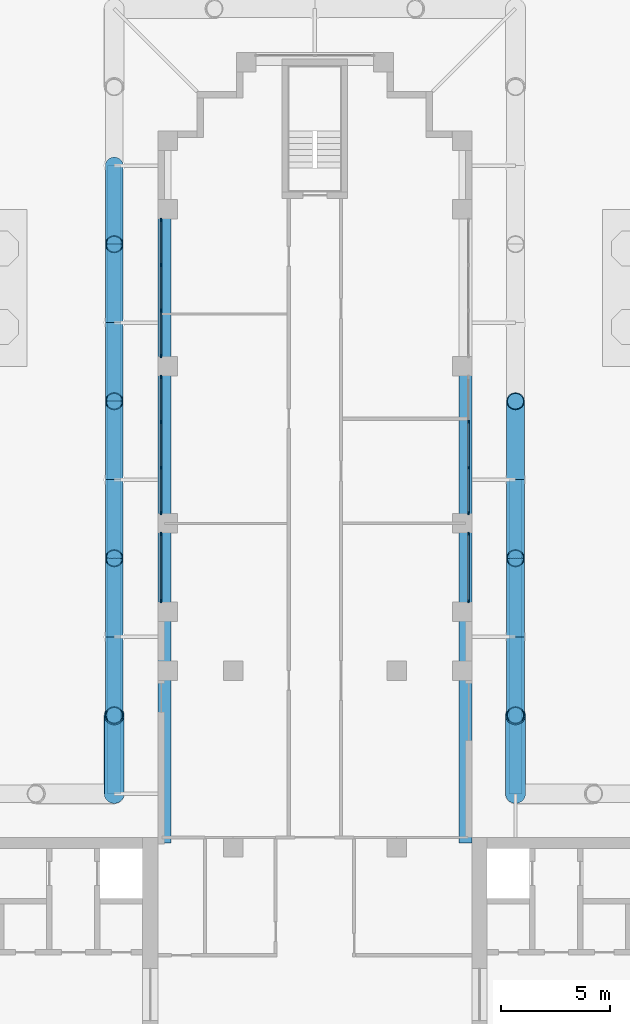
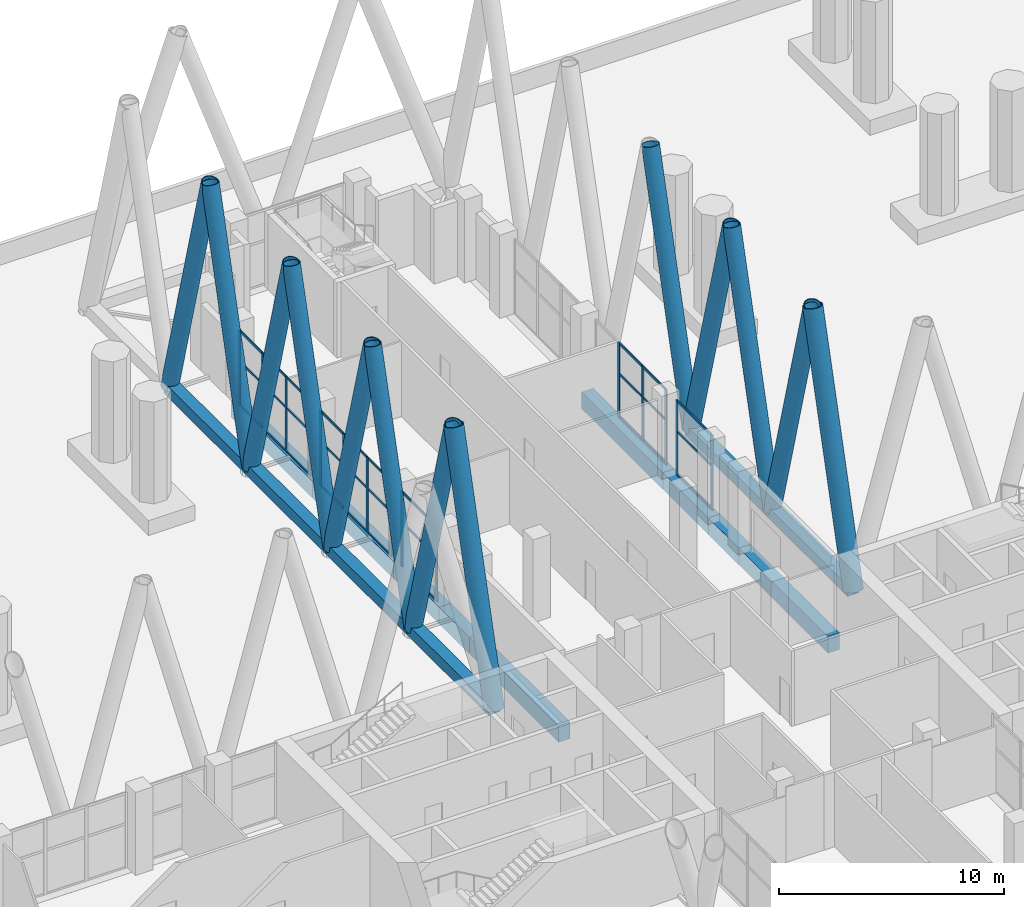
# One storey, part 11 of 31: 64 members, 9 beams, 5 elements without a shape of their own.
"""IFC4 building model written with IfcOpenShell, lengths in metres."""

from ifc_helpers import new_model, si_unit, direction, frame, origin, origin_2d, place, context, subcontext, project, spatial, rectangle, hollow_rectangle, hollow_circle, extrude, material, material_profile, profile_set, type_object, element, aggregate, save


model = new_model("IFC4")

# Units and contexts
model_context = context("Model", 3, precision=1e-05, world=origin(), true_north=direction((0.0, 1.0)))
body_context = subcontext(model_context, "Body", "Model", "MODEL_VIEW")
ifc_project = project(units=[si_unit("LENGTHUNIT", "METRE"), si_unit("AREAUNIT", "SQUARE_METRE"), si_unit("VOLUMEUNIT", "CUBIC_METRE"), si_unit("PLANEANGLEUNIT", "RADIAN"), si_unit("MASSUNIT", "GRAM", prefix="KILO")], contexts=[model_context])

# Site, building, storey
site_placement = place(None, origin())
site = spatial("IfcSite", under=ifc_project, at=site_placement, CompositionType="ELEMENT")
building_placement = place(site_placement, origin())
building = spatial("IfcBuilding", under=site, at=building_placement, Name="Fustian Cross Tower", CompositionType="ELEMENT")
storey_placement = place(building_placement, frame((0.0, 0.0, 7.199951171875)))
storey = spatial("IfcBuildingStorey", under=building, at=storey_placement, Name="L01", CompositionType="ELEMENT", Elevation=7.199951171875)

# Curtain wall, members
ifc_material_1 = material(Name="Glass", Category="glass")
curtain_wall_type = type_object("IfcCurtainWallType", Name="CW4 CURTAIN WALL", PredefinedType="NOTDEFINED", material=ifc_material_1)
curtain_wall_1_placement = place(storey_placement, origin())
curtain_wall_1 = element("IfcCurtainWall", 1, at=curtain_wall_1_placement, inside=storey, type_object=curtain_wall_type, Name="Curtain wall CW4", PredefinedType="NOTDEFINED")
ifc_material_2 = material(Name="Aluminium alloy 6063", Category="aluminium")
ifc_material_profile_1 = material_profile(ifc_material_2, rectangle(XDim=0.06005859375, YDim=0.159912109375, at=origin_2d()), Name="CW4 MULLION 60x160")
ifc_profile_set_1 = profile_set([ifc_material_profile_1], Name="Aluminium alloy 6063")
member_type_1 = type_object("IfcMemberType", Name="CW4 MULLION 60x160", PredefinedType="MULLION", material=ifc_profile_set_1)
member_1_placement = place(storey_placement, frame((7.050048828125, 18.030029296875, 0.0), z_axis=(0.0, 0.0, 1.0), x_axis=(-1.0, 0.0, 0.0)))
member_1 = element("IfcMember", 2, at=member_1_placement, type_object=member_type_1, Name="CW4 mullion 1", PredefinedType="MULLION", context=body_context, shape_type="SweptSolid", body=[
    extrude(rectangle(XDim=0.06005859375, YDim=0.159912109375, at=origin_2d()), origin(), (0.0, 0.0, 1.0), 4.074951171875),
])
member_2_placement = place(storey_placement, frame((7.050048828125, 21.1201171875, 0.0), z_axis=(0.0, 0.0, 1.0), x_axis=(-1.0, 0.0, 0.0)))
member_2 = element("IfcMember", 3, at=member_2_placement, type_object=member_type_1, Name="CW4 mullion 2", PredefinedType="MULLION", context=body_context, shape_type="SweptSolid", body=[
    extrude(rectangle(XDim=0.06005859375, YDim=0.159912109375, at=origin_2d()), origin(), (0.0, 0.0, 1.0), 4.074951171875),
])

curtain_wall_2_placement = place(storey_placement, origin())
curtain_wall_2 = element("IfcCurtainWall", 4, at=curtain_wall_2_placement, inside=storey, type_object=curtain_wall_type, Name="Curtain wall CW4", PredefinedType="NOTDEFINED")
member_3_placement = place(storey_placement, frame((7.050048828125, 22.080078125, 0.0), z_axis=(0.0, 0.0, 1.0), x_axis=(-1.0, 0.0, 0.0)))
member_3 = element("IfcMember", 5, at=member_3_placement, type_object=member_type_1, Name="CW4 mullion 1", PredefinedType="MULLION", context=body_context, shape_type="SweptSolid", body=[
    extrude(rectangle(XDim=0.06005859375, YDim=0.159912109375, at=origin_2d()), origin(), (0.0, 0.0, 1.0), 4.074951171875),
])
member_4_placement = place(storey_placement, frame((7.050048828125, 24.14990234375, 0.0), z_axis=(0.0, 0.0, 1.0), x_axis=(-1.0, 0.0, 0.0)))
member_4 = element("IfcMember", 6, at=member_4_placement, type_object=member_type_1, Name="CW4 mullion 2", PredefinedType="MULLION", context=body_context, shape_type="SweptSolid", body=[
    extrude(rectangle(XDim=0.06005859375, YDim=0.159912109375, at=origin_2d()), origin(), (0.0, 0.0, 1.0), 4.074951171875),
])
member_5_placement = place(storey_placement, frame((7.050048828125, 26.25, 0.0), z_axis=(0.0, 0.0, 1.0), x_axis=(-1.0, 0.0, 0.0)))
member_5 = element("IfcMember", 7, at=member_5_placement, type_object=member_type_1, Name="CW4 mullion 3", PredefinedType="MULLION", context=body_context, shape_type="SweptSolid", body=[
    extrude(rectangle(XDim=0.06005859375, YDim=0.159912109375, at=origin_2d()), origin(), (0.0, 0.0, 1.0), 4.074951171875),
])

curtain_wall_3_placement = place(storey_placement, origin())
curtain_wall_3 = element("IfcCurtainWall", 8, at=curtain_wall_3_placement, inside=storey, type_object=curtain_wall_type, Name="Curtain wall CW4", PredefinedType="NOTDEFINED")
member_6_placement = place(storey_placement, frame((-7.050048828125, 35.52001953125, 0.0), z_axis=(0.0, 0.0, 1.0), x_axis=(1.0, 0.0, 0.0)))
member_6 = element("IfcMember", 9, at=member_6_placement, type_object=member_type_1, Name="CW4 mullion 1", PredefinedType="MULLION", context=body_context, shape_type="SweptSolid", body=[
    extrude(rectangle(XDim=0.06005859375, YDim=0.159912109375, at=origin_2d()), origin(), (0.0, 0.0, 1.0), 4.074951171875),
])
member_7_placement = place(storey_placement, frame((-7.050048828125, 33.449951171875, 0.0), z_axis=(0.0, 0.0, 1.0), x_axis=(1.0, 0.0, 0.0)))
member_7 = element("IfcMember", 10, at=member_7_placement, type_object=member_type_1, Name="CW4 mullion 2", PredefinedType="MULLION", context=body_context, shape_type="SweptSolid", body=[
    extrude(rectangle(XDim=0.06005859375, YDim=0.159912109375, at=origin_2d()), origin(), (0.0, 0.0, 1.0), 4.074951171875),
])
member_8_placement = place(storey_placement, frame((-7.050048828125, 31.35009765625, 0.0), z_axis=(0.0, 0.0, 1.0), x_axis=(1.0, 0.0, 0.0)))
member_8 = element("IfcMember", 11, at=member_8_placement, type_object=member_type_1, Name="CW4 mullion 3", PredefinedType="MULLION", context=body_context, shape_type="SweptSolid", body=[
    extrude(rectangle(XDim=0.06005859375, YDim=0.159912109375, at=origin_2d()), origin(), (0.0, 0.0, 1.0), 4.074951171875),
])
member_9_placement = place(storey_placement, frame((-7.050048828125, 29.280029296875, 0.0), z_axis=(0.0, 0.0, 1.0), x_axis=(1.0, 0.0, 0.0)))
member_9 = element("IfcMember", 12, at=member_9_placement, type_object=member_type_1, Name="CW4 mullion 4", PredefinedType="MULLION", context=body_context, shape_type="SweptSolid", body=[
    extrude(rectangle(XDim=0.06005859375, YDim=0.159912109375, at=origin_2d()), origin(), (0.0, 0.0, 1.0), 4.074951171875),
])

curtain_wall_4_placement = place(storey_placement, origin())
curtain_wall_4 = element("IfcCurtainWall", 13, at=curtain_wall_4_placement, inside=storey, type_object=curtain_wall_type, Name="Curtain wall CW4", PredefinedType="NOTDEFINED")
member_10_placement = place(storey_placement, frame((-7.050048828125, 28.320068359375, 0.0), z_axis=(0.0, 0.0, 1.0), x_axis=(1.0, 0.0, 0.0)))
member_10 = element("IfcMember", 14, at=member_10_placement, type_object=member_type_1, Name="CW4 mullion 1", PredefinedType="MULLION", context=body_context, shape_type="SweptSolid", body=[
    extrude(rectangle(XDim=0.06005859375, YDim=0.159912109375, at=origin_2d()), origin(), (0.0, 0.0, 1.0), 4.074951171875),
])
member_11_placement = place(storey_placement, frame((-7.050048828125, 26.25, 0.0), z_axis=(0.0, 0.0, 1.0), x_axis=(1.0, 0.0, 0.0)))
member_11 = element("IfcMember", 15, at=member_11_placement, type_object=member_type_1, Name="CW4 mullion 2", PredefinedType="MULLION", context=body_context, shape_type="SweptSolid", body=[
    extrude(rectangle(XDim=0.06005859375, YDim=0.159912109375, at=origin_2d()), origin(), (0.0, 0.0, 1.0), 4.074951171875),
])
member_12_placement = place(storey_placement, frame((-7.050048828125, 24.14990234375, 0.0), z_axis=(0.0, 0.0, 1.0), x_axis=(1.0, 0.0, 0.0)))
member_12 = element("IfcMember", 16, at=member_12_placement, type_object=member_type_1, Name="CW4 mullion 3", PredefinedType="MULLION", context=body_context, shape_type="SweptSolid", body=[
    extrude(rectangle(XDim=0.06005859375, YDim=0.159912109375, at=origin_2d()), origin(), (0.0, 0.0, 1.0), 4.074951171875),
])
member_13_placement = place(storey_placement, frame((-7.050048828125, 22.080078125, 0.0), z_axis=(0.0, 0.0, 1.0), x_axis=(1.0, 0.0, 0.0)))
member_13 = element("IfcMember", 17, at=member_13_placement, type_object=member_type_1, Name="CW4 mullion 4", PredefinedType="MULLION", context=body_context, shape_type="SweptSolid", body=[
    extrude(rectangle(XDim=0.06005859375, YDim=0.159912109375, at=origin_2d()), origin(), (0.0, 0.0, 1.0), 4.074951171875),
])

curtain_wall_5_placement = place(storey_placement, origin())
curtain_wall_5 = element("IfcCurtainWall", 18, at=curtain_wall_5_placement, inside=storey, type_object=curtain_wall_type, Name="Curtain wall CW4", PredefinedType="NOTDEFINED")
member_14_placement = place(storey_placement, frame((-7.050048828125, 21.1201171875, 0.0), z_axis=(0.0, 0.0, 1.0), x_axis=(1.0, 0.0, 0.0)))
member_14 = element("IfcMember", 19, at=member_14_placement, type_object=member_type_1, Name="CW4 mullion 1", PredefinedType="MULLION", context=body_context, shape_type="SweptSolid", body=[
    extrude(rectangle(XDim=0.06005859375, YDim=0.159912109375, at=origin_2d()), origin(), (0.0, 0.0, 1.0), 4.074951171875),
])
member_15_placement = place(storey_placement, frame((-7.050048828125, 18.030029296875, 0.0), z_axis=(0.0, 0.0, 1.0), x_axis=(1.0, 0.0, 0.0)))
member_15 = element("IfcMember", 20, at=member_15_placement, type_object=member_type_1, Name="CW4 mullion 2", PredefinedType="MULLION", context=body_context, shape_type="SweptSolid", body=[
    extrude(rectangle(XDim=0.06005859375, YDim=0.159912109375, at=origin_2d()), origin(), (0.0, 0.0, 1.0), 4.074951171875),
])

# Member
ifc_material_3 = material(Name="Aluminium alloy 6063", Category="aluminium")
ifc_material_profile_2 = material_profile(ifc_material_3, rectangle(XDim=0.06005859375, YDim=0.1201171875, at=origin_2d()), Name="CW4 TRANSOM 60x120")
ifc_profile_set_2 = profile_set([ifc_material_profile_2], Name="Aluminium alloy 6063")
member_type_2 = type_object("IfcMemberType", Name="CW4 TRANSOM 60x120", PredefinedType="USERDEFINED", material=ifc_profile_set_2)
member_16_placement = place(storey_placement, frame((7.050048828125, 18.06005859375, 0.030029296875), z_axis=(0.0, 1.0, 0.0), x_axis=(-1.0, 0.0, 0.0)))
member_16 = element("IfcMember", 21, at=member_16_placement, type_object=member_type_2, Name="CW4 transom 1.1", ObjectType="TRANSOM", PredefinedType="USERDEFINED", context=body_context, shape_type="SweptSolid", body=[
    extrude(rectangle(XDim=0.06005859375, YDim=0.1201171875, at=origin_2d()), origin(), (0.0, 0.0, 1.0), 3.030029296875),
])

member_17_placement = place(storey_placement, frame((7.050048828125, 18.06005859375, 2.400146484375), z_axis=(0.0, 1.0, 0.0), x_axis=(-1.0, 0.0, 0.0)))
member_17 = element("IfcMember", 22, at=member_17_placement, type_object=member_type_2, Name="CW4 transom 1.2", ObjectType="TRANSOM", PredefinedType="USERDEFINED", context=body_context, shape_type="SweptSolid", body=[
    extrude(rectangle(XDim=0.06005859375, YDim=0.1201171875, at=origin_2d()), origin(), (0.0, 0.0, 1.0), 3.030029296875),
])

member_18_placement = place(storey_placement, frame((7.050048828125, 18.06005859375, 4.045166015625), z_axis=(0.0, 1.0, 0.0), x_axis=(-1.0, 0.0, 0.0)))
member_18 = element("IfcMember", 23, at=member_18_placement, type_object=member_type_2, Name="CW4 transom 1.3", ObjectType="TRANSOM", PredefinedType="USERDEFINED", context=body_context, shape_type="SweptSolid", body=[
    extrude(rectangle(XDim=0.06005859375, YDim=0.1201171875, at=origin_2d()), origin(), (0.0, 0.0, 1.0), 3.030029296875),
])

aggregate(curtain_wall_1, [member_1, member_2, member_16, member_17, member_18])

member_19_placement = place(storey_placement, frame((7.050048828125, 22.110107421875, 0.030029296875), z_axis=(0.0, 1.0, 0.0), x_axis=(-1.0, 0.0, 0.0)))
member_19 = element("IfcMember", 24, at=member_19_placement, type_object=member_type_2, Name="CW4 transom 1.1", ObjectType="TRANSOM", PredefinedType="USERDEFINED", context=body_context, shape_type="SweptSolid", body=[
    extrude(rectangle(XDim=0.06005859375, YDim=0.1201171875, at=origin_2d()), origin(), (0.0, 0.0, 1.0), 2.010009765625),
])

member_20_placement = place(storey_placement, frame((7.050048828125, 22.110107421875, 2.400146484375), z_axis=(0.0, 1.0, 0.0), x_axis=(-1.0, 0.0, 0.0)))
member_20 = element("IfcMember", 25, at=member_20_placement, type_object=member_type_2, Name="CW4 transom 1.2", ObjectType="TRANSOM", PredefinedType="USERDEFINED", context=body_context, shape_type="SweptSolid", body=[
    extrude(rectangle(XDim=0.06005859375, YDim=0.1201171875, at=origin_2d()), origin(), (0.0, 0.0, 1.0), 2.010009765625),
])

member_21_placement = place(storey_placement, frame((7.050048828125, 22.110107421875, 4.045166015625), z_axis=(0.0, 1.0, 0.0), x_axis=(-1.0, 0.0, 0.0)))
member_21 = element("IfcMember", 26, at=member_21_placement, type_object=member_type_2, Name="CW4 transom 1.3", ObjectType="TRANSOM", PredefinedType="USERDEFINED", context=body_context, shape_type="SweptSolid", body=[
    extrude(rectangle(XDim=0.06005859375, YDim=0.1201171875, at=origin_2d()), origin(), (0.0, 0.0, 1.0), 2.010009765625),
])

member_22_placement = place(storey_placement, frame((7.050048828125, 24.179931640625, 0.030029296875), z_axis=(0.0, 1.0, 0.0), x_axis=(-1.0, 0.0, 0.0)))
member_22 = element("IfcMember", 27, at=member_22_placement, type_object=member_type_2, Name="CW4 transom 2.1", ObjectType="TRANSOM", PredefinedType="USERDEFINED", context=body_context, shape_type="SweptSolid", body=[
    extrude(rectangle(XDim=0.06005859375, YDim=0.1201171875, at=origin_2d()), origin(), (0.0, 0.0, 1.0), 2.0400390625),
])

member_23_placement = place(storey_placement, frame((7.050048828125, 24.179931640625, 2.400146484375), z_axis=(0.0, 1.0, 0.0), x_axis=(-1.0, 0.0, 0.0)))
member_23 = element("IfcMember", 28, at=member_23_placement, type_object=member_type_2, Name="CW4 transom 2.2", ObjectType="TRANSOM", PredefinedType="USERDEFINED", context=body_context, shape_type="SweptSolid", body=[
    extrude(rectangle(XDim=0.06005859375, YDim=0.1201171875, at=origin_2d()), origin(), (0.0, 0.0, 1.0), 2.0400390625),
])

member_24_placement = place(storey_placement, frame((7.050048828125, 24.179931640625, 4.045166015625), z_axis=(0.0, 1.0, 0.0), x_axis=(-1.0, 0.0, 0.0)))
member_24 = element("IfcMember", 29, at=member_24_placement, type_object=member_type_2, Name="CW4 transom 2.3", ObjectType="TRANSOM", PredefinedType="USERDEFINED", context=body_context, shape_type="SweptSolid", body=[
    extrude(rectangle(XDim=0.06005859375, YDim=0.1201171875, at=origin_2d()), origin(), (0.0, 0.0, 1.0), 2.0400390625),
])

aggregate(curtain_wall_2, [member_3, member_4, member_5, member_19, member_20, member_21, member_22, member_23, member_24])

member_25_placement = place(storey_placement, frame((-7.050048828125, 35.489990234375, 0.030029296875), z_axis=(0.0, -1.0, 0.0), x_axis=(1.0, 0.0, 0.0)))
member_25 = element("IfcMember", 30, at=member_25_placement, type_object=member_type_2, Name="CW4 transom 1.1", ObjectType="TRANSOM", PredefinedType="USERDEFINED", context=body_context, shape_type="SweptSolid", body=[
    extrude(rectangle(XDim=0.06005859375, YDim=0.1201171875, at=origin_2d()), origin(), (0.0, 0.0, 1.0), 2.010009765625),
])

member_26_placement = place(storey_placement, frame((-7.050048828125, 35.489990234375, 2.400146484375), z_axis=(0.0, -1.0, 0.0), x_axis=(1.0, 0.0, 0.0)))
member_26 = element("IfcMember", 31, at=member_26_placement, type_object=member_type_2, Name="CW4 transom 1.2", ObjectType="TRANSOM", PredefinedType="USERDEFINED", context=body_context, shape_type="SweptSolid", body=[
    extrude(rectangle(XDim=0.06005859375, YDim=0.1201171875, at=origin_2d()), origin(), (0.0, 0.0, 1.0), 2.010009765625),
])

member_27_placement = place(storey_placement, frame((-7.050048828125, 35.489990234375, 4.045166015625), z_axis=(0.0, -1.0, 0.0), x_axis=(1.0, 0.0, 0.0)))
member_27 = element("IfcMember", 32, at=member_27_placement, type_object=member_type_2, Name="CW4 transom 1.3", ObjectType="TRANSOM", PredefinedType="USERDEFINED", context=body_context, shape_type="SweptSolid", body=[
    extrude(rectangle(XDim=0.06005859375, YDim=0.1201171875, at=origin_2d()), origin(), (0.0, 0.0, 1.0), 2.010009765625),
])

member_28_placement = place(storey_placement, frame((-7.050048828125, 33.419921875, 0.030029296875), z_axis=(0.0, -1.0, 0.0), x_axis=(1.0, 0.0, 0.0)))
member_28 = element("IfcMember", 33, at=member_28_placement, type_object=member_type_2, Name="CW4 transom 2.1", ObjectType="TRANSOM", PredefinedType="USERDEFINED", context=body_context, shape_type="SweptSolid", body=[
    extrude(rectangle(XDim=0.06005859375, YDim=0.1201171875, at=origin_2d()), origin(), (0.0, 0.0, 1.0), 2.0400390625),
])

member_29_placement = place(storey_placement, frame((-7.050048828125, 33.419921875, 2.400146484375), z_axis=(0.0, -1.0, 0.0), x_axis=(1.0, 0.0, 0.0)))
member_29 = element("IfcMember", 34, at=member_29_placement, type_object=member_type_2, Name="CW4 transom 2.2", ObjectType="TRANSOM", PredefinedType="USERDEFINED", context=body_context, shape_type="SweptSolid", body=[
    extrude(rectangle(XDim=0.06005859375, YDim=0.1201171875, at=origin_2d()), origin(), (0.0, 0.0, 1.0), 2.0400390625),
])

member_30_placement = place(storey_placement, frame((-7.050048828125, 33.419921875, 4.045166015625), z_axis=(0.0, -1.0, 0.0), x_axis=(1.0, 0.0, 0.0)))
member_30 = element("IfcMember", 35, at=member_30_placement, type_object=member_type_2, Name="CW4 transom 2.3", ObjectType="TRANSOM", PredefinedType="USERDEFINED", context=body_context, shape_type="SweptSolid", body=[
    extrude(rectangle(XDim=0.06005859375, YDim=0.1201171875, at=origin_2d()), origin(), (0.0, 0.0, 1.0), 2.0400390625),
])

member_31_placement = place(storey_placement, frame((-7.050048828125, 31.320068359375, 0.030029296875), z_axis=(0.0, -1.0, 0.0), x_axis=(1.0, 0.0, 0.0)))
member_31 = element("IfcMember", 36, at=member_31_placement, type_object=member_type_2, Name="CW4 transom 3.1", ObjectType="TRANSOM", PredefinedType="USERDEFINED", context=body_context, shape_type="SweptSolid", body=[
    extrude(rectangle(XDim=0.06005859375, YDim=0.1201171875, at=origin_2d()), origin(), (0.0, 0.0, 1.0), 2.010009765625),
])

member_32_placement = place(storey_placement, frame((-7.050048828125, 31.320068359375, 2.400146484375), z_axis=(0.0, -1.0, 0.0), x_axis=(1.0, 0.0, 0.0)))
member_32 = element("IfcMember", 37, at=member_32_placement, type_object=member_type_2, Name="CW4 transom 3.2", ObjectType="TRANSOM", PredefinedType="USERDEFINED", context=body_context, shape_type="SweptSolid", body=[
    extrude(rectangle(XDim=0.06005859375, YDim=0.1201171875, at=origin_2d()), origin(), (0.0, 0.0, 1.0), 2.010009765625),
])

member_33_placement = place(storey_placement, frame((-7.050048828125, 31.320068359375, 4.045166015625), z_axis=(0.0, -1.0, 0.0), x_axis=(1.0, 0.0, 0.0)))
member_33 = element("IfcMember", 38, at=member_33_placement, type_object=member_type_2, Name="CW4 transom 3.3", ObjectType="TRANSOM", PredefinedType="USERDEFINED", context=body_context, shape_type="SweptSolid", body=[
    extrude(rectangle(XDim=0.06005859375, YDim=0.1201171875, at=origin_2d()), origin(), (0.0, 0.0, 1.0), 2.010009765625),
])

aggregate(curtain_wall_3, [member_6, member_7, member_8, member_9, member_25, member_26, member_27, member_28, member_29, member_30, member_31, member_32, member_33])

member_34_placement = place(storey_placement, frame((-7.050048828125, 28.2900390625, 0.030029296875), z_axis=(0.0, -1.0, 0.0), x_axis=(1.0, 0.0, 0.0)))
member_34 = element("IfcMember", 39, at=member_34_placement, type_object=member_type_2, Name="CW4 transom 1.1", ObjectType="TRANSOM", PredefinedType="USERDEFINED", context=body_context, shape_type="SweptSolid", body=[
    extrude(rectangle(XDim=0.06005859375, YDim=0.1201171875, at=origin_2d()), origin(), (0.0, 0.0, 1.0), 2.010009765625),
])

member_35_placement = place(storey_placement, frame((-7.050048828125, 28.2900390625, 2.400146484375), z_axis=(0.0, -1.0, 0.0), x_axis=(1.0, 0.0, 0.0)))
member_35 = element("IfcMember", 40, at=member_35_placement, type_object=member_type_2, Name="CW4 transom 1.2", ObjectType="TRANSOM", PredefinedType="USERDEFINED", context=body_context, shape_type="SweptSolid", body=[
    extrude(rectangle(XDim=0.06005859375, YDim=0.1201171875, at=origin_2d()), origin(), (0.0, 0.0, 1.0), 2.010009765625),
])

member_36_placement = place(storey_placement, frame((-7.050048828125, 28.2900390625, 4.045166015625), z_axis=(0.0, -1.0, 0.0), x_axis=(1.0, 0.0, 0.0)))
member_36 = element("IfcMember", 41, at=member_36_placement, type_object=member_type_2, Name="CW4 transom 1.3", ObjectType="TRANSOM", PredefinedType="USERDEFINED", context=body_context, shape_type="SweptSolid", body=[
    extrude(rectangle(XDim=0.06005859375, YDim=0.1201171875, at=origin_2d()), origin(), (0.0, 0.0, 1.0), 2.010009765625),
])

member_37_placement = place(storey_placement, frame((-7.050048828125, 26.219970703125, 0.030029296875), z_axis=(0.0, -1.0, 0.0), x_axis=(1.0, 0.0, 0.0)))
member_37 = element("IfcMember", 42, at=member_37_placement, type_object=member_type_2, Name="CW4 transom 2.1", ObjectType="TRANSOM", PredefinedType="USERDEFINED", context=body_context, shape_type="SweptSolid", body=[
    extrude(rectangle(XDim=0.06005859375, YDim=0.1201171875, at=origin_2d()), origin(), (0.0, 0.0, 1.0), 2.0400390625),
])

member_38_placement = place(storey_placement, frame((-7.050048828125, 26.219970703125, 2.400146484375), z_axis=(0.0, -1.0, 0.0), x_axis=(1.0, 0.0, 0.0)))
member_38 = element("IfcMember", 43, at=member_38_placement, type_object=member_type_2, Name="CW4 transom 2.2", ObjectType="TRANSOM", PredefinedType="USERDEFINED", context=body_context, shape_type="SweptSolid", body=[
    extrude(rectangle(XDim=0.06005859375, YDim=0.1201171875, at=origin_2d()), origin(), (0.0, 0.0, 1.0), 2.0400390625),
])

member_39_placement = place(storey_placement, frame((-7.050048828125, 26.219970703125, 4.045166015625), z_axis=(0.0, -1.0, 0.0), x_axis=(1.0, 0.0, 0.0)))
member_39 = element("IfcMember", 44, at=member_39_placement, type_object=member_type_2, Name="CW4 transom 2.3", ObjectType="TRANSOM", PredefinedType="USERDEFINED", context=body_context, shape_type="SweptSolid", body=[
    extrude(rectangle(XDim=0.06005859375, YDim=0.1201171875, at=origin_2d()), origin(), (0.0, 0.0, 1.0), 2.0400390625),
])

member_40_placement = place(storey_placement, frame((-7.050048828125, 24.1201171875, 0.030029296875), z_axis=(0.0, -1.0, 0.0), x_axis=(1.0, 0.0, 0.0)))
member_40 = element("IfcMember", 45, at=member_40_placement, type_object=member_type_2, Name="CW4 transom 3.1", ObjectType="TRANSOM", PredefinedType="USERDEFINED", context=body_context, shape_type="SweptSolid", body=[
    extrude(rectangle(XDim=0.06005859375, YDim=0.1201171875, at=origin_2d()), origin(), (0.0, 0.0, 1.0), 2.010009765625),
])

member_41_placement = place(storey_placement, frame((-7.050048828125, 24.1201171875, 2.400146484375), z_axis=(0.0, -1.0, 0.0), x_axis=(1.0, 0.0, 0.0)))
member_41 = element("IfcMember", 46, at=member_41_placement, type_object=member_type_2, Name="CW4 transom 3.2", ObjectType="TRANSOM", PredefinedType="USERDEFINED", context=body_context, shape_type="SweptSolid", body=[
    extrude(rectangle(XDim=0.06005859375, YDim=0.1201171875, at=origin_2d()), origin(), (0.0, 0.0, 1.0), 2.010009765625),
])

member_42_placement = place(storey_placement, frame((-7.050048828125, 24.1201171875, 4.045166015625), z_axis=(0.0, -1.0, 0.0), x_axis=(1.0, 0.0, 0.0)))
member_42 = element("IfcMember", 47, at=member_42_placement, type_object=member_type_2, Name="CW4 transom 3.3", ObjectType="TRANSOM", PredefinedType="USERDEFINED", context=body_context, shape_type="SweptSolid", body=[
    extrude(rectangle(XDim=0.06005859375, YDim=0.1201171875, at=origin_2d()), origin(), (0.0, 0.0, 1.0), 2.010009765625),
])

aggregate(curtain_wall_4, [member_10, member_11, member_12, member_13, member_34, member_35, member_36, member_37, member_38, member_39, member_40, member_41, member_42])

member_43_placement = place(storey_placement, frame((-7.050048828125, 21.090087890625, 0.030029296875), z_axis=(0.0, -1.0, 0.0), x_axis=(1.0, 0.0, 0.0)))
member_43 = element("IfcMember", 48, at=member_43_placement, type_object=member_type_2, Name="CW4 transom 1.1", ObjectType="TRANSOM", PredefinedType="USERDEFINED", context=body_context, shape_type="SweptSolid", body=[
    extrude(rectangle(XDim=0.06005859375, YDim=0.1201171875, at=origin_2d()), origin(), (0.0, 0.0, 1.0), 3.030029296875),
])

member_44_placement = place(storey_placement, frame((-7.050048828125, 21.090087890625, 2.400146484375), z_axis=(0.0, -1.0, 0.0), x_axis=(1.0, 0.0, 0.0)))
member_44 = element("IfcMember", 49, at=member_44_placement, type_object=member_type_2, Name="CW4 transom 1.2", ObjectType="TRANSOM", PredefinedType="USERDEFINED", context=body_context, shape_type="SweptSolid", body=[
    extrude(rectangle(XDim=0.06005859375, YDim=0.1201171875, at=origin_2d()), origin(), (0.0, 0.0, 1.0), 3.030029296875),
])

member_45_placement = place(storey_placement, frame((-7.050048828125, 21.090087890625, 4.045166015625), z_axis=(0.0, -1.0, 0.0), x_axis=(1.0, 0.0, 0.0)))
member_45 = element("IfcMember", 50, at=member_45_placement, type_object=member_type_2, Name="CW4 transom 1.3", ObjectType="TRANSOM", PredefinedType="USERDEFINED", context=body_context, shape_type="SweptSolid", body=[
    extrude(rectangle(XDim=0.06005859375, YDim=0.1201171875, at=origin_2d()), origin(), (0.0, 0.0, 1.0), 3.030029296875),
])

aggregate(curtain_wall_5, [member_14, member_15, member_43, member_44, member_45])

# Members
ifc_material_4 = material(Name="Steel S355", Category="steel")
ifc_material_profile_3 = material_profile(ifc_material_4, hollow_circle(Radius=0.406494140625, WallThickness=0.0400390625, at=origin_2d()), Name="CHS 813x40")
ifc_profile_set_3 = profile_set([ifc_material_profile_3], Name="Steel S355")
member_type_3 = type_object("IfcMemberType", Name="DIAGRID DIAGONAL CHS 813x40", PredefinedType="BRACE", material=ifc_profile_set_3)
for number, where, z_axis, x_axis, name in (
    (51, (9.199951171875, 16.39990234375, 0.300048828125), (0.0, -0.263108346568, 0.964766291889), (1.0, 0.0, 0.0), "Diagrid diagonal N-E 02"),
    (52, (9.199951171875, 16.39990234375, 0.300048828125), (0.0, 0.263124955092, 0.964761762306), (-1.0, 0.0, 0.0), "Diagrid diagonal N-E 03"),
    (53, (9.199951171875, 23.60009765625, 0.300048828125), (0.0, -0.263124955092, 0.964761762306), (1.0, 0.0, 0.0), "Diagrid diagonal N-E 04"),
    (54, (9.199951171875, 23.60009765625, 0.300048828125), (0.0, 0.263108346568, 0.964766291889), (-1.0, 0.0, 0.0), "Diagrid diagonal N-E 05"),
    (55, (-9.199951171875, 38.0, 0.300048828125), (0.0, -0.263124955092, 0.964761762306), (1.0, 0.0, 0.0), "Diagrid diagonal N-W 03"),
    (56, (-9.199951171875, 30.800048828125, 0.300048828125), (0.0, 0.263108346568, 0.964766291889), (-1.0, 0.0, 0.0), "Diagrid diagonal N-W 04"),
    (57, (-9.199951171875, 30.800048828125, 0.300048828125), (0.0, -0.263124955092, 0.964761762306), (1.0, 0.0, 0.0), "Diagrid diagonal N-W 05"),
    (58, (-9.199951171875, 23.60009765625, 0.300048828125), (0.0, 0.263108346568, 0.964766291889), (-1.0, 0.0, 0.0), "Diagrid diagonal N-W 06"),
    (59, (-9.199951171875, 23.60009765625, 0.300048828125), (0.0, -0.263124955092, 0.964761762306), (1.0, 0.0, 0.0), "Diagrid diagonal N-W 07"),
    (60, (-9.199951171875, 16.39990234375, 0.300048828125), (0.0, 0.263124955092, 0.964761762306), (-1.0, 0.0, 0.0), "Diagrid diagonal N-W 08"),
    (61, (-9.199951171875, 16.39990234375, 0.300048828125), (0.0, -0.263108346568, 0.964766291889), (1.0, 0.0, 0.0), "Diagrid diagonal N-W 09"),
):
    element("IfcMember", number, at=place(storey_placement, frame(where, z_axis=z_axis, x_axis=x_axis)), inside=storey, type_object=member_type_3, Name=name, PredefinedType="BRACE", context=body_context, shape_type="SweptSolid", body=[
        extrude(hollow_circle(Radius=0.406494140625, WallThickness=0.0400390625, at=origin_2d()), origin(), (0.0, 0.0, 1.0), 13.68212890625),
    ])
ifc_material_5 = material(Name="Steel S355", Category="steel")
ifc_material_profile_4 = material_profile(ifc_material_5, hollow_circle(Radius=0.457275390625, WallThickness=0.050048828125, at=origin_2d()), Name="CHS 914x50")
ifc_profile_set_4 = profile_set([ifc_material_profile_4], Name="Steel S355")
member_type_4 = type_object("IfcMemberType", Name="DIAGRID DIAGONAL CHS 914x50", PredefinedType="BRACE", material=ifc_profile_set_4)
for number, where, z_axis, x_axis, name in (
    (62, (9.199951171875, 9.199951171875, 0.300048828125), (0.0, 0.263124955092, 0.964761762306), (-1.0, 0.0, 0.0), "Diagrid diagonal N-E 01"),
    (63, (-9.199951171875, 9.199951171875, 0.300048828125), (0.0, 0.263124955092, 0.964761762306), (-1.0, 0.0, 0.0), "Diagrid diagonal N-W 10"),
):
    element("IfcMember", number, at=place(storey_placement, frame(where, z_axis=z_axis, x_axis=x_axis)), inside=storey, type_object=member_type_4, Name=name, PredefinedType="BRACE", context=body_context, shape_type="SweptSolid", body=[
        extrude(hollow_circle(Radius=0.457275390625, WallThickness=0.050048828125, at=origin_2d()), origin(), (0.0, 0.0, 1.0), 13.68212890625),
    ])
ifc_material_6 = material(Name="Steel S355", Category="steel")
ifc_material_profile_5 = material_profile(ifc_material_6, hollow_rectangle(XDim=0.60009765625, YDim=0.60009765625, WallThickness=0.030029296875, at=origin_2d()), Name="RHS 600x600x30")
ifc_profile_set_5 = profile_set([ifc_material_profile_5], Name="Steel S355")
member_type_5 = type_object("IfcMemberType", Name="DIAGRID RING RHS 600x600x30", PredefinedType="MEMBER", material=ifc_profile_set_5)
member_46_placement = place(storey_placement, frame((9.199951171875, 9.199951171875, 0.300048828125), z_axis=(0.0, 1.0, 0.0), x_axis=(-1.0, 0.0, 0.0)))
element("IfcMember", 64, at=member_46_placement, inside=storey, type_object=member_type_5, Name="Diagrid ring L01-07 L01-08", PredefinedType="MEMBER", context=body_context, shape_type="SweptSolid", body=[
    extrude(hollow_rectangle(XDim=0.60009765625, YDim=0.60009765625, WallThickness=0.030029296875, at=origin_2d()), origin(), (0.0, 0.0, 1.0), 7.199951171875),
])
member_47_placement = place(storey_placement, frame((9.199951171875, 16.39990234375, 0.300048828125), z_axis=(0.0, 1.0, 0.0), x_axis=(-1.0, 0.0, 0.0)))
element("IfcMember", 65, at=member_47_placement, inside=storey, type_object=member_type_5, Name="Diagrid ring L01-08 L01-09", PredefinedType="MEMBER", context=body_context, shape_type="SweptSolid", body=[
    extrude(hollow_rectangle(XDim=0.60009765625, YDim=0.60009765625, WallThickness=0.030029296875, at=origin_2d()), origin(), (0.0, 0.0, 1.0), 7.2001953125),
])
for number, where, z_axis, x_axis, name in (
    (66, (-9.199951171875, 38.0, 0.300048828125), (0.0, -1.0, 0.0), (1.0, 0.0, 0.0), "Diagrid ring L01-15 L01-16"),
    (67, (-9.199951171875, 30.800048828125, 0.300048828125), (0.0, -1.0, 0.0), (1.0, 0.0, 0.0), "Diagrid ring L01-16 L01-17"),
):
    element("IfcMember", number, at=place(storey_placement, frame(where, z_axis=z_axis, x_axis=x_axis)), inside=storey, type_object=member_type_5, Name=name, PredefinedType="MEMBER", context=body_context, shape_type="SweptSolid", body=[
        extrude(hollow_rectangle(XDim=0.60009765625, YDim=0.60009765625, WallThickness=0.030029296875, at=origin_2d()), origin(), (0.0, 0.0, 1.0), 7.199951171875),
    ])
member_48_placement = place(storey_placement, frame((-9.199951171875, 23.60009765625, 0.300048828125), z_axis=(0.0, -1.0, 0.0), x_axis=(1.0, 0.0, 0.0)))
element("IfcMember", 68, at=member_48_placement, inside=storey, type_object=member_type_5, Name="Diagrid ring L01-17 L01-18", PredefinedType="MEMBER", context=body_context, shape_type="SweptSolid", body=[
    extrude(hollow_rectangle(XDim=0.60009765625, YDim=0.60009765625, WallThickness=0.030029296875, at=origin_2d()), origin(), (0.0, 0.0, 1.0), 7.2001953125),
])
member_49_placement = place(storey_placement, frame((-9.199951171875, 16.39990234375, 0.300048828125), z_axis=(0.0, -1.0, 0.0), x_axis=(1.0, 0.0, 0.0)))
element("IfcMember", 69, at=member_49_placement, inside=storey, type_object=member_type_5, Name="Diagrid ring L01-18 L01-19", PredefinedType="MEMBER", context=body_context, shape_type="SweptSolid", body=[
    extrude(hollow_rectangle(XDim=0.60009765625, YDim=0.60009765625, WallThickness=0.030029296875, at=origin_2d()), origin(), (0.0, 0.0, 1.0), 7.199951171875),
])

# Beams
ifc_material_7 = material(Name="Concrete C50/60", Category="concrete")
ifc_material_profile_6 = material_profile(ifc_material_7, rectangle(XDim=0.60009765625, YDim=0.89990234375, at=origin_2d()), Name="RC 600x900")
ifc_profile_set_6 = profile_set([ifc_material_profile_6], Name="Concrete C50/60")
beam_type = type_object("IfcBeamType", Name="EDGE BEAM RC 600x900 C50/60", PredefinedType="SPANDREL", material=ifc_profile_set_6)
beam_1_placement = place(storey_placement, frame((6.89990234375, 6.949951171875, -0.449951171875), z_axis=(0.0, 1.0, 0.0), x_axis=(-1.0, 0.0, 0.0)))
element("IfcBeam", 70, at=beam_1_placement, inside=storey, type_object=beam_type, Name="EDGE BEAM L01-10", PredefinedType="SPANDREL", context=body_context, shape_type="SweptSolid", body=[
    extrude(rectangle(XDim=0.60009765625, YDim=0.89990234375, at=origin_2d()), origin(), (0.0, 0.0, 1.0), 7.900146484375),
])
beam_2_placement = place(storey_placement, frame((6.89990234375, 14.85009765625, -0.449951171875), z_axis=(0.0, 1.0, 0.0), x_axis=(-1.0, 0.0, 0.0)))
element("IfcBeam", 71, at=beam_2_placement, inside=storey, type_object=beam_type, Name="EDGE BEAM L01-11", PredefinedType="SPANDREL", context=body_context, shape_type="SweptSolid", body=[
    extrude(rectangle(XDim=0.60009765625, YDim=0.89990234375, at=origin_2d()), origin(), (0.0, 0.0, 1.0), 2.699951171875),
])
beam_3_placement = place(storey_placement, frame((6.89990234375, 17.550048828125, -0.449951171875), z_axis=(0.0, 1.0, 0.0), x_axis=(-1.0, 0.0, 0.0)))
element("IfcBeam", 72, at=beam_3_placement, inside=storey, type_object=beam_type, Name="EDGE BEAM L01-12", PredefinedType="SPANDREL", context=body_context, shape_type="SweptSolid", body=[
    extrude(rectangle(XDim=0.60009765625, YDim=0.89990234375, at=origin_2d()), origin(), (0.0, 0.0, 1.0), 4.050048828125),
])
for number, where, z_axis, x_axis, name in (
    (73, (6.89990234375, 21.60009765625, -0.449951171875), (0.0, 1.0, 0.0), (-1.0, 0.0, 0.0), "EDGE BEAM L01-13"),
    (74, (-6.89990234375, 36.0, -0.449951171875), (0.0, -1.0, 0.0), (1.0, 0.0, 0.0), "EDGE BEAM L01-18"),
    (75, (-6.89990234375, 28.800048828125, -0.449951171875), (0.0, -1.0, 0.0), (1.0, 0.0, 0.0), "EDGE BEAM L01-19"),
):
    element("IfcBeam", number, at=place(storey_placement, frame(where, z_axis=z_axis, x_axis=x_axis)), inside=storey, type_object=beam_type, Name=name, PredefinedType="SPANDREL", context=body_context, shape_type="SweptSolid", body=[
        extrude(rectangle(XDim=0.60009765625, YDim=0.89990234375, at=origin_2d()), origin(), (0.0, 0.0, 1.0), 7.199951171875),
    ])
beam_4_placement = place(storey_placement, frame((-6.89990234375, 21.60009765625, -0.449951171875), z_axis=(0.0, -1.0, 0.0), x_axis=(1.0, 0.0, 0.0)))
element("IfcBeam", 76, at=beam_4_placement, inside=storey, type_object=beam_type, Name="EDGE BEAM L01-20", PredefinedType="SPANDREL", context=body_context, shape_type="SweptSolid", body=[
    extrude(rectangle(XDim=0.60009765625, YDim=0.89990234375, at=origin_2d()), origin(), (0.0, 0.0, 1.0), 4.050048828125),
])
beam_5_placement = place(storey_placement, frame((-6.89990234375, 17.550048828125, -0.449951171875), z_axis=(0.0, -1.0, 0.0), x_axis=(1.0, 0.0, 0.0)))
element("IfcBeam", 77, at=beam_5_placement, inside=storey, type_object=beam_type, Name="EDGE BEAM L01-21", PredefinedType="SPANDREL", context=body_context, shape_type="SweptSolid", body=[
    extrude(rectangle(XDim=0.60009765625, YDim=0.89990234375, at=origin_2d()), origin(), (0.0, 0.0, 1.0), 2.699951171875),
])
beam_6_placement = place(storey_placement, frame((-6.89990234375, 14.85009765625, -0.449951171875), z_axis=(0.0, -1.0, 0.0), x_axis=(1.0, 0.0, 0.0)))
element("IfcBeam", 78, at=beam_6_placement, inside=storey, type_object=beam_type, Name="EDGE BEAM L01-22", PredefinedType="SPANDREL", context=body_context, shape_type="SweptSolid", body=[
    extrude(rectangle(XDim=0.60009765625, YDim=0.89990234375, at=origin_2d()), origin(), (0.0, 0.0, 1.0), 7.900146484375),
])

save(model, "model.ifc")
